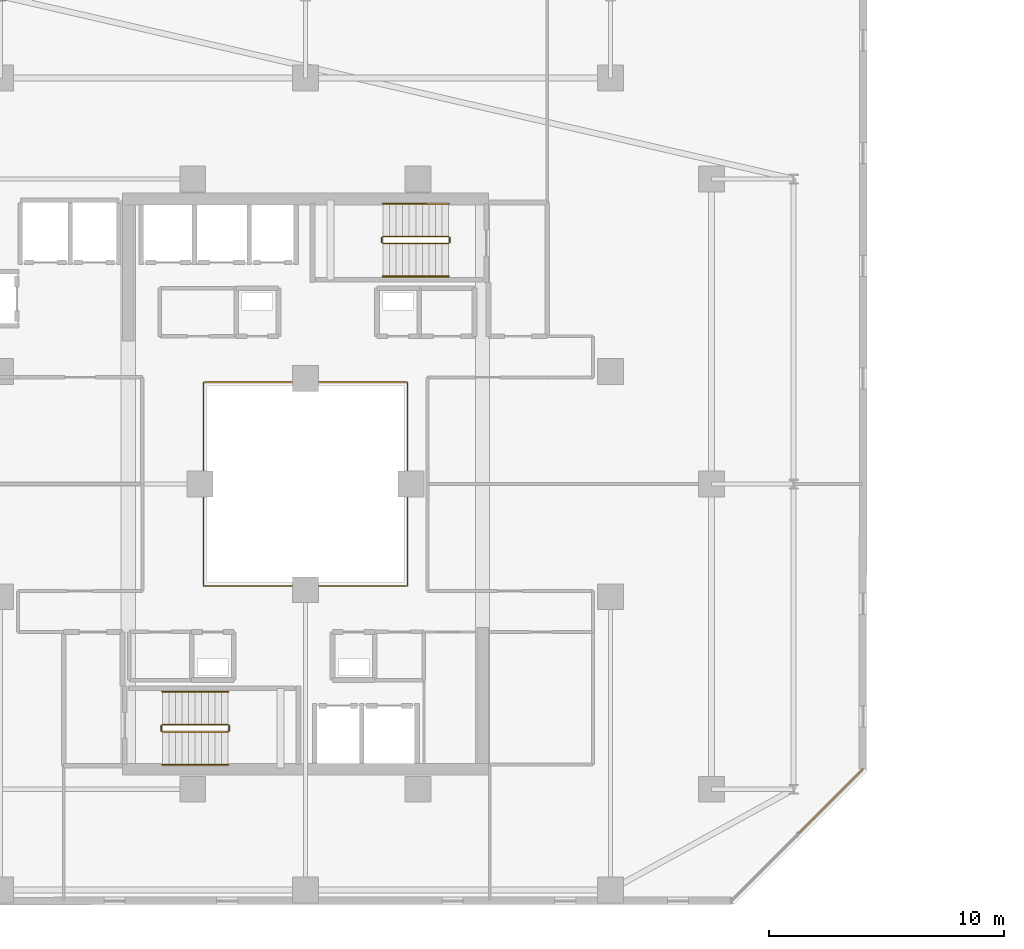
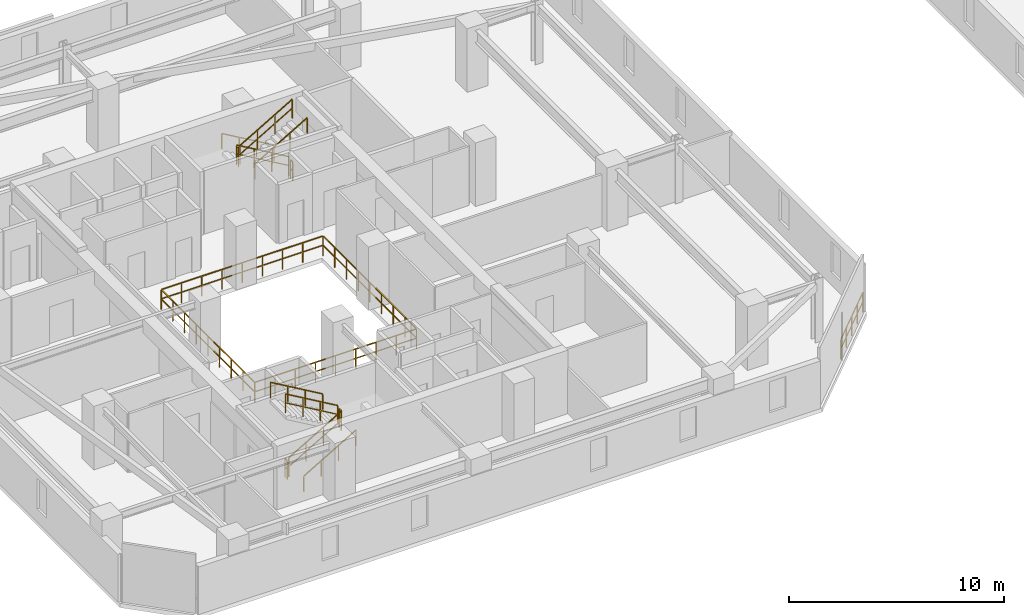
# One storey, part 29 of 32: 14 railings.
"""IFC4 building model written with IfcOpenShell, lengths in metres."""

from ifc_helpers import new_model, si_unit, direction, frame, origin, origin_2d, place, context, subcontext, project, spatial, rectangle, extrude, material, type_object, element, save


model = new_model("IFC4")

# Units and contexts
model_context = context("Model", 3, precision=1e-05, world=origin(), true_north=direction((0.0, 1.0)))
body_context = subcontext(model_context, "Body", "Model", "MODEL_VIEW")
ifc_project = project(units=[si_unit("LENGTHUNIT", "METRE"), si_unit("AREAUNIT", "SQUARE_METRE"), si_unit("VOLUMEUNIT", "CUBIC_METRE"), si_unit("PLANEANGLEUNIT", "RADIAN"), si_unit("MASSUNIT", "GRAM", prefix="KILO")], contexts=[model_context])

# Site, building, storey
site_placement = place(None, origin())
site = spatial("IfcSite", under=ifc_project, at=site_placement, CompositionType="ELEMENT")
building_placement = place(site_placement, origin())
building = spatial("IfcBuilding", under=site, at=building_placement, Name="Thornwick Lancets Civic Towers", CompositionType="ELEMENT")
storey_placement = place(building_placement, frame((0.0, 0.0, 182.10009765625)))
storey = spatial("IfcBuildingStorey", under=building, at=storey_placement, Name="L48", CompositionType="ELEMENT", Elevation=182.10009765625)

# Railings
ifc_material_1 = material(Name="Laminated glass and bronze steel S355", Category="steel")
railing_type_1 = type_object("IfcRailingType", Name="RAIL_ATRIUM_GUARD", PredefinedType="BALUSTRADE", material=ifc_material_1)
railing_1_placement = place(storey_placement, frame((21.159912109375, 22.659912109375, 0.0)))
element("IfcRailing", 1, at=railing_1_placement, inside=storey, type_object=railing_type_1, Name="L48 Tower A Central Atrium Guard Balustrade", PredefinedType="BALUSTRADE", context=body_context, shape_type="SweptSolid", body=[
    extrude(rectangle(XDim=0.048095703125, YDim=0.048095703125, at=origin_2d()), frame((0.0, 0.0, 1.1259765625), z_axis=(1.0, 0.0, 0.0), x_axis=(0.0, 1.0, 0.0)), (0.0, 0.0, 1.0), 8.64892578125),
    extrude(rectangle(XDim=0.0419921875, YDim=0.0419921875, at=origin_2d()), frame((0.03759765625, 0.0, 0.597900390625), z_axis=(1.0, 0.0, 0.0), x_axis=(0.0, 1.0, 0.0)), (0.0, 0.0, 1.0), 1.010009765625),
    extrude(rectangle(XDim=0.0419921875, YDim=0.0419921875, at=origin_2d()), frame((1.12255859375, 0.0, 0.597900390625), z_axis=(1.0, 0.0, 0.0), x_axis=(0.0, 1.0, 0.0)), (0.0, 0.0, 1.0), 1.010009765625),
    extrude(rectangle(XDim=0.0419921875, YDim=0.0419921875, at=origin_2d()), frame((2.20751953125, 0.0, 0.597900390625), z_axis=(1.0, 0.0, 0.0), x_axis=(0.0, 1.0, 0.0)), (0.0, 0.0, 1.0), 1.010009765625),
    extrude(rectangle(XDim=0.0419921875, YDim=0.0419921875, at=origin_2d()), frame((3.29248046875, 0.0, 0.597900390625), z_axis=(1.0, 0.0, 0.0), x_axis=(0.0, 1.0, 0.0)), (0.0, 0.0, 1.0), 1.010009765625),
    extrude(rectangle(XDim=0.0419921875, YDim=0.0419921875, at=origin_2d()), frame((4.377685546875, 0.0, 0.597900390625), z_axis=(1.0, 0.0, 0.0), x_axis=(0.0, 1.0, 0.0)), (0.0, 0.0, 1.0), 1.010009765625),
    extrude(rectangle(XDim=0.0419921875, YDim=0.0419921875, at=origin_2d()), frame((5.462646484375, 0.0, 0.597900390625), z_axis=(1.0, 0.0, 0.0), x_axis=(0.0, 1.0, 0.0)), (0.0, 0.0, 1.0), 1.010009765625),
    extrude(rectangle(XDim=0.0419921875, YDim=0.0419921875, at=origin_2d()), frame((6.547607421875, 0.0, 0.597900390625), z_axis=(1.0, 0.0, 0.0), x_axis=(0.0, 1.0, 0.0)), (0.0, 0.0, 1.0), 1.010009765625),
    extrude(rectangle(XDim=0.0419921875, YDim=0.0419921875, at=origin_2d()), frame((7.632568359375, 0.0, 0.597900390625), z_axis=(1.0, 0.0, 0.0), x_axis=(0.0, 1.0, 0.0)), (0.0, 0.0, 1.0), 1.010009765625),
    extrude(rectangle(XDim=0.048095703125, YDim=0.048095703125, at=origin_2d()), frame((8.68017578125, 0.03125, 1.1259765625), z_axis=(0.0, 1.0, 0.0), x_axis=(-1.0, 0.0, 0.0)), (0.0, 0.0, 1.0), 8.61767578125),
    extrude(rectangle(XDim=0.0419921875, YDim=0.0419921875, at=origin_2d()), frame((8.68017578125, 0.03759765625, 0.597900390625), z_axis=(0.0, 1.0, 0.0), x_axis=(-1.0, 0.0, 0.0)), (0.0, 0.0, 1.0), 1.010009765625),
    extrude(rectangle(XDim=0.0419921875, YDim=0.0419921875, at=origin_2d()), frame((8.68017578125, 1.12255859375, 0.597900390625), z_axis=(0.0, 1.0, 0.0), x_axis=(-1.0, 0.0, 0.0)), (0.0, 0.0, 1.0), 1.010009765625),
    extrude(rectangle(XDim=0.0419921875, YDim=0.0419921875, at=origin_2d()), frame((8.68017578125, 2.20751953125, 0.597900390625), z_axis=(0.0, 1.0, 0.0), x_axis=(-1.0, 0.0, 0.0)), (0.0, 0.0, 1.0), 1.010009765625),
    extrude(rectangle(XDim=0.0419921875, YDim=0.0419921875, at=origin_2d()), frame((8.68017578125, 3.29248046875, 0.597900390625), z_axis=(0.0, 1.0, 0.0), x_axis=(-1.0, 0.0, 0.0)), (0.0, 0.0, 1.0), 1.010009765625),
    extrude(rectangle(XDim=0.0419921875, YDim=0.0419921875, at=origin_2d()), frame((8.68017578125, 4.377685546875, 0.597900390625), z_axis=(0.0, 1.0, 0.0), x_axis=(-1.0, 0.0, 0.0)), (0.0, 0.0, 1.0), 1.010009765625),
    extrude(rectangle(XDim=0.0419921875, YDim=0.0419921875, at=origin_2d()), frame((8.68017578125, 5.462646484375, 0.597900390625), z_axis=(0.0, 1.0, 0.0), x_axis=(-1.0, 0.0, 0.0)), (0.0, 0.0, 1.0), 1.010009765625),
    extrude(rectangle(XDim=0.0419921875, YDim=0.0419921875, at=origin_2d()), frame((8.68017578125, 6.547607421875, 0.597900390625), z_axis=(0.0, 1.0, 0.0), x_axis=(-1.0, 0.0, 0.0)), (0.0, 0.0, 1.0), 1.010009765625),
    extrude(rectangle(XDim=0.0419921875, YDim=0.0419921875, at=origin_2d()), frame((8.68017578125, 7.632568359375, 0.597900390625), z_axis=(0.0, 1.0, 0.0), x_axis=(-1.0, 0.0, 0.0)), (0.0, 0.0, 1.0), 1.010009765625),
    extrude(rectangle(XDim=0.048095703125, YDim=0.048095703125, at=origin_2d()), frame((8.64892578125, 8.68017578125, 1.1259765625), z_axis=(-1.0, 0.0, 0.0), x_axis=(0.0, -1.0, 0.0)), (0.0, 0.0, 1.0), 8.61767578125),
    extrude(rectangle(XDim=0.0419921875, YDim=0.0419921875, at=origin_2d()), frame((8.642578125, 8.68017578125, 0.597900390625), z_axis=(-1.0, 0.0, 0.0), x_axis=(0.0, -1.0, 0.0)), (0.0, 0.0, 1.0), 1.010009765625),
    extrude(rectangle(XDim=0.0419921875, YDim=0.0419921875, at=origin_2d()), frame((7.5576171875, 8.68017578125, 0.597900390625), z_axis=(-1.0, 0.0, 0.0), x_axis=(0.0, -1.0, 0.0)), (0.0, 0.0, 1.0), 1.010009765625),
    extrude(rectangle(XDim=0.0419921875, YDim=0.0419921875, at=origin_2d()), frame((6.47265625, 8.68017578125, 0.597900390625), z_axis=(-1.0, 0.0, 0.0), x_axis=(0.0, -1.0, 0.0)), (0.0, 0.0, 1.0), 1.010009765625),
    extrude(rectangle(XDim=0.0419921875, YDim=0.0419921875, at=origin_2d()), frame((5.3876953125, 8.68017578125, 0.597900390625), z_axis=(-1.0, 0.0, 0.0), x_axis=(0.0, -1.0, 0.0)), (0.0, 0.0, 1.0), 1.010009765625),
    extrude(rectangle(XDim=0.0419921875, YDim=0.0419921875, at=origin_2d()), frame((4.302490234375, 8.68017578125, 0.597900390625), z_axis=(-1.0, 0.0, 0.0), x_axis=(0.0, -1.0, 0.0)), (0.0, 0.0, 1.0), 1.010009765625),
    extrude(rectangle(XDim=0.0419921875, YDim=0.0419921875, at=origin_2d()), frame((3.217529296875, 8.68017578125, 0.597900390625), z_axis=(-1.0, 0.0, 0.0), x_axis=(0.0, -1.0, 0.0)), (0.0, 0.0, 1.0), 1.010009765625),
    extrude(rectangle(XDim=0.0419921875, YDim=0.0419921875, at=origin_2d()), frame((2.132568359375, 8.68017578125, 0.597900390625), z_axis=(-1.0, 0.0, 0.0), x_axis=(0.0, -1.0, 0.0)), (0.0, 0.0, 1.0), 1.010009765625),
    extrude(rectangle(XDim=0.0419921875, YDim=0.0419921875, at=origin_2d()), frame((1.047607421875, 8.68017578125, 0.597900390625), z_axis=(-1.0, 0.0, 0.0), x_axis=(0.0, -1.0, 0.0)), (0.0, 0.0, 1.0), 1.010009765625),
    extrude(rectangle(XDim=0.048095703125, YDim=0.048095703125, at=origin_2d()), frame((0.0, 8.64892578125, 1.1259765625), z_axis=(0.0, -1.0, 0.0), x_axis=(1.0, 0.0, 0.0)), (0.0, 0.0, 1.0), 8.64892578125),
    extrude(rectangle(XDim=0.0419921875, YDim=0.0419921875, at=origin_2d()), frame((0.0, 8.642578125, 0.597900390625), z_axis=(0.0, -1.0, 0.0), x_axis=(1.0, 0.0, 0.0)), (0.0, 0.0, 1.0), 1.010009765625),
    extrude(rectangle(XDim=0.0419921875, YDim=0.0419921875, at=origin_2d()), frame((0.0, 7.5576171875, 0.597900390625), z_axis=(0.0, -1.0, 0.0), x_axis=(1.0, 0.0, 0.0)), (0.0, 0.0, 1.0), 1.010009765625),
    extrude(rectangle(XDim=0.0419921875, YDim=0.0419921875, at=origin_2d()), frame((0.0, 6.47265625, 0.597900390625), z_axis=(0.0, -1.0, 0.0), x_axis=(1.0, 0.0, 0.0)), (0.0, 0.0, 1.0), 1.010009765625),
    extrude(rectangle(XDim=0.0419921875, YDim=0.0419921875, at=origin_2d()), frame((0.0, 5.3876953125, 0.597900390625), z_axis=(0.0, -1.0, 0.0), x_axis=(1.0, 0.0, 0.0)), (0.0, 0.0, 1.0), 1.010009765625),
    extrude(rectangle(XDim=0.0419921875, YDim=0.0419921875, at=origin_2d()), frame((0.0, 4.302490234375, 0.597900390625), z_axis=(0.0, -1.0, 0.0), x_axis=(1.0, 0.0, 0.0)), (0.0, 0.0, 1.0), 1.010009765625),
    extrude(rectangle(XDim=0.0419921875, YDim=0.0419921875, at=origin_2d()), frame((0.0, 3.217529296875, 0.597900390625), z_axis=(0.0, -1.0, 0.0), x_axis=(1.0, 0.0, 0.0)), (0.0, 0.0, 1.0), 1.010009765625),
    extrude(rectangle(XDim=0.0419921875, YDim=0.0419921875, at=origin_2d()), frame((0.0, 2.132568359375, 0.597900390625), z_axis=(0.0, -1.0, 0.0), x_axis=(1.0, 0.0, 0.0)), (0.0, 0.0, 1.0), 1.010009765625),
    extrude(rectangle(XDim=0.0419921875, YDim=0.0419921875, at=origin_2d()), frame((0.0, 1.047607421875, 0.597900390625), z_axis=(0.0, -1.0, 0.0), x_axis=(1.0, 0.0, 0.0)), (0.0, 0.0, 1.0), 1.010009765625),
    extrude(rectangle(XDim=0.0419921875, YDim=0.0419921875, at=origin_2d()), origin(), (0.0, 0.0, 1.0), 1.095703125),
    extrude(rectangle(XDim=0.0419921875, YDim=0.0419921875, at=origin_2d()), frame((1.0849609375, 0.0, 0.0)), (0.0, 0.0, 1.0), 1.095703125),
    extrude(rectangle(XDim=0.0419921875, YDim=0.0419921875, at=origin_2d()), frame((2.169921875, 0.0, 0.0)), (0.0, 0.0, 1.0), 1.095703125),
    extrude(rectangle(XDim=0.0419921875, YDim=0.0419921875, at=origin_2d()), frame((3.255126953125, 0.0, 0.0)), (0.0, 0.0, 1.0), 1.095703125),
    extrude(rectangle(XDim=0.0419921875, YDim=0.0419921875, at=origin_2d()), frame((4.340087890625, 0.0, 0.0)), (0.0, 0.0, 1.0), 1.095703125),
    extrude(rectangle(XDim=0.0419921875, YDim=0.0419921875, at=origin_2d()), frame((5.425048828125, 0.0, 0.0)), (0.0, 0.0, 1.0), 1.095703125),
    extrude(rectangle(XDim=0.0419921875, YDim=0.0419921875, at=origin_2d()), frame((6.51025390625, 0.0, 0.0)), (0.0, 0.0, 1.0), 1.095703125),
    extrude(rectangle(XDim=0.0419921875, YDim=0.0419921875, at=origin_2d()), frame((7.59521484375, 0.0, 0.0)), (0.0, 0.0, 1.0), 1.095703125),
    extrude(rectangle(XDim=0.0419921875, YDim=0.0419921875, at=origin_2d()), frame((8.68017578125, 0.0, 0.0)), (0.0, 0.0, 1.0), 1.095703125),
    extrude(rectangle(XDim=0.0419921875, YDim=0.0419921875, at=origin_2d()), frame((8.68017578125, 1.0849609375, 0.0)), (0.0, 0.0, 1.0), 1.095703125),
    extrude(rectangle(XDim=0.0419921875, YDim=0.0419921875, at=origin_2d()), frame((8.68017578125, 2.169921875, 0.0)), (0.0, 0.0, 1.0), 1.095703125),
    extrude(rectangle(XDim=0.0419921875, YDim=0.0419921875, at=origin_2d()), frame((8.68017578125, 3.255126953125, 0.0)), (0.0, 0.0, 1.0), 1.095703125),
    extrude(rectangle(XDim=0.0419921875, YDim=0.0419921875, at=origin_2d()), frame((8.68017578125, 4.340087890625, 0.0)), (0.0, 0.0, 1.0), 1.095703125),
    extrude(rectangle(XDim=0.0419921875, YDim=0.0419921875, at=origin_2d()), frame((8.68017578125, 5.425048828125, 0.0)), (0.0, 0.0, 1.0), 1.095703125),
    extrude(rectangle(XDim=0.0419921875, YDim=0.0419921875, at=origin_2d()), frame((8.68017578125, 6.51025390625, 0.0)), (0.0, 0.0, 1.0), 1.095703125),
    extrude(rectangle(XDim=0.0419921875, YDim=0.0419921875, at=origin_2d()), frame((8.68017578125, 7.59521484375, 0.0)), (0.0, 0.0, 1.0), 1.095703125),
    extrude(rectangle(XDim=0.0419921875, YDim=0.0419921875, at=origin_2d()), frame((8.68017578125, 8.68017578125, 0.0)), (0.0, 0.0, 1.0), 1.095703125),
    extrude(rectangle(XDim=0.0419921875, YDim=0.0419921875, at=origin_2d()), frame((7.59521484375, 8.68017578125, 0.0)), (0.0, 0.0, 1.0), 1.095703125),
    extrude(rectangle(XDim=0.0419921875, YDim=0.0419921875, at=origin_2d()), frame((6.51025390625, 8.68017578125, 0.0)), (0.0, 0.0, 1.0), 1.095703125),
    extrude(rectangle(XDim=0.0419921875, YDim=0.0419921875, at=origin_2d()), frame((5.425048828125, 8.68017578125, 0.0)), (0.0, 0.0, 1.0), 1.095703125),
    extrude(rectangle(XDim=0.0419921875, YDim=0.0419921875, at=origin_2d()), frame((4.340087890625, 8.68017578125, 0.0)), (0.0, 0.0, 1.0), 1.095703125),
    extrude(rectangle(XDim=0.0419921875, YDim=0.0419921875, at=origin_2d()), frame((3.255126953125, 8.68017578125, 0.0)), (0.0, 0.0, 1.0), 1.095703125),
    extrude(rectangle(XDim=0.0419921875, YDim=0.0419921875, at=origin_2d()), frame((2.169921875, 8.68017578125, 0.0)), (0.0, 0.0, 1.0), 1.095703125),
    extrude(rectangle(XDim=0.0419921875, YDim=0.0419921875, at=origin_2d()), frame((1.0849609375, 8.68017578125, 0.0)), (0.0, 0.0, 1.0), 1.095703125),
    extrude(rectangle(XDim=0.0419921875, YDim=0.0419921875, at=origin_2d()), frame((0.0, 8.68017578125, 0.0)), (0.0, 0.0, 1.0), 1.095703125),
    extrude(rectangle(XDim=0.0419921875, YDim=0.0419921875, at=origin_2d()), frame((0.0, 7.59521484375, 0.0)), (0.0, 0.0, 1.0), 1.095703125),
    extrude(rectangle(XDim=0.0419921875, YDim=0.0419921875, at=origin_2d()), frame((0.0, 6.51025390625, 0.0)), (0.0, 0.0, 1.0), 1.095703125),
    extrude(rectangle(XDim=0.0419921875, YDim=0.0419921875, at=origin_2d()), frame((0.0, 5.425048828125, 0.0)), (0.0, 0.0, 1.0), 1.095703125),
    extrude(rectangle(XDim=0.0419921875, YDim=0.0419921875, at=origin_2d()), frame((0.0, 4.340087890625, 0.0)), (0.0, 0.0, 1.0), 1.095703125),
    extrude(rectangle(XDim=0.0419921875, YDim=0.0419921875, at=origin_2d()), frame((0.0, 3.255126953125, 0.0)), (0.0, 0.0, 1.0), 1.095703125),
    extrude(rectangle(XDim=0.0419921875, YDim=0.0419921875, at=origin_2d()), frame((0.0, 2.169921875, 0.0)), (0.0, 0.0, 1.0), 1.095703125),
    extrude(rectangle(XDim=0.0419921875, YDim=0.0419921875, at=origin_2d()), frame((0.0, 1.0849609375, 0.0)), (0.0, 0.0, 1.0), 1.095703125),
])
ifc_material_2 = material(Name="Brushed stainless steel S355", Category="steel")
railing_type_2 = type_object("IfcRailingType", Name="RAIL_HANDRAIL", PredefinedType="HANDRAIL", material=ifc_material_2)
railing_2_placement = place(storey_placement, frame((19.39990234375, 15.050048828125, 0.16357421875)))
element("IfcRailing", 2, at=railing_2_placement, inside=storey, type_object=railing_type_2, Name="L48 ST-A1 stair handrail 1", PredefinedType="HANDRAIL", context=body_context, shape_type="SweptSolid", body=[
    extrude(rectangle(XDim=0.048095703125, YDim=0.048095703125, at=origin_2d()), frame((0.0, 0.0, 0.8857421875), z_axis=(0.863393664356, 0.0, 0.504530851732), x_axis=(0.0, 1.0, 0.0)), (0.0, 0.0, 1.0), 3.2431640625),
    extrude(rectangle(XDim=0.0419921875, YDim=0.0419921875, at=origin_2d()), origin(), (0.0, 0.0, 1.0), 0.855712890625),
    extrude(rectangle(XDim=0.0419921875, YDim=0.0419921875, at=origin_2d()), frame((0.933349609375, 0.0, 0.54541015625)), (0.0, 0.0, 1.0), 0.855712890625),
    extrude(rectangle(XDim=0.0419921875, YDim=0.0419921875, at=origin_2d()), frame((1.86669921875, 0.0, 1.0908203125)), (0.0, 0.0, 1.0), 0.855712890625),
    extrude(rectangle(XDim=0.0419921875, YDim=0.0419921875, at=origin_2d()), frame((2.800048828125, 0.0, 1.63623046875)), (0.0, 0.0, 1.0), 0.855712890625),
])
for number, where, name in (
    (3, (22.199951171875, 18.14990234375, 1.963623046875), "L48 ST-A1 stair handrail 2"),
    (4, (31.60009765625, 38.949951171875, 0.16357421875), "L48 ST-A2 stair handrail 1"),
):
    element("IfcRailing", number, at=place(storey_placement, frame(where)), inside=storey, type_object=railing_type_2, Name=name, PredefinedType="HANDRAIL", context=body_context, shape_type="SweptSolid", body=[
        extrude(rectangle(XDim=0.048095703125, YDim=0.048095703125, at=origin_2d()), frame((0.0, 0.0, 0.8857421875), z_axis=(-0.863393664356, 0.0, 0.504530851732), x_axis=(0.0, -1.0, 0.0)), (0.0, 0.0, 1.0), 3.2431640625),
        extrude(rectangle(XDim=0.0419921875, YDim=0.0419921875, at=origin_2d()), origin(), (0.0, 0.0, 1.0), 0.855712890625),
        extrude(rectangle(XDim=0.0419921875, YDim=0.0419921875, at=origin_2d()), frame((-0.933349609375, 0.0, 0.54541015625)), (0.0, 0.0, 1.0), 0.855712890625),
        extrude(rectangle(XDim=0.0419921875, YDim=0.0419921875, at=origin_2d()), frame((-1.86669921875, 0.0, 1.0908203125)), (0.0, 0.0, 1.0), 0.855712890625),
        extrude(rectangle(XDim=0.0419921875, YDim=0.0419921875, at=origin_2d()), frame((-2.800048828125, 0.0, 1.63623046875)), (0.0, 0.0, 1.0), 0.855712890625),
    ])
railing_3_placement = place(storey_placement, frame((28.800048828125, 35.85009765625, 1.963623046875)))
element("IfcRailing", 5, at=railing_3_placement, inside=storey, type_object=railing_type_2, Name="L48 ST-A2 stair handrail 2", PredefinedType="HANDRAIL", context=body_context, shape_type="SweptSolid", body=[
    extrude(rectangle(XDim=0.048095703125, YDim=0.048095703125, at=origin_2d()), frame((0.0, 0.0, 0.8857421875), z_axis=(0.863393664356, 0.0, 0.504530851732), x_axis=(0.0, 1.0, 0.0)), (0.0, 0.0, 1.0), 3.2431640625),
    extrude(rectangle(XDim=0.0419921875, YDim=0.0419921875, at=origin_2d()), origin(), (0.0, 0.0, 1.0), 0.855712890625),
    extrude(rectangle(XDim=0.0419921875, YDim=0.0419921875, at=origin_2d()), frame((0.933349609375, 0.0, 0.54541015625)), (0.0, 0.0, 1.0), 0.855712890625),
    extrude(rectangle(XDim=0.0419921875, YDim=0.0419921875, at=origin_2d()), frame((1.86669921875, 0.0, 1.0908203125)), (0.0, 0.0, 1.0), 0.855712890625),
    extrude(rectangle(XDim=0.0419921875, YDim=0.0419921875, at=origin_2d()), frame((2.800048828125, 0.0, 1.63623046875)), (0.0, 0.0, 1.0), 0.855712890625),
])
ifc_material_3 = material(Name="Steel S355JR", Category="steel")
railing_type_3 = type_object("IfcRailingType", Name="RAIL_STAIR_GUARD", PredefinedType="GUARDRAIL", material=ifc_material_3)
railing_4_placement = place(storey_placement, frame((19.39990234375, 16.449951171875, 0.16357421875)))
element("IfcRailing", 6, at=railing_4_placement, inside=storey, type_object=railing_type_3, Name="L48 ST-A1 stair guard 1", PredefinedType="GUARDRAIL", context=body_context, shape_type="SweptSolid", body=[
    extrude(rectangle(XDim=0.048095703125, YDim=0.048095703125, at=origin_2d()), frame((0.0, 0.0, 1.076171875), z_axis=(0.863393664356, 0.0, 0.504530851732), x_axis=(0.0, 1.0, 0.0)), (0.0, 0.0, 1.0), 3.2431640625),
    extrude(rectangle(XDim=0.0419921875, YDim=0.0419921875, at=origin_2d()), frame((0.032470703125, 0.0, 0.591064453125), z_axis=(0.863393664356, 0.0, 0.504530851732), x_axis=(0.0, 1.0, 0.0)), (0.0, 0.0, 1.0), 1.006103515625),
    extrude(rectangle(XDim=0.0419921875, YDim=0.0419921875, at=origin_2d()), frame((0.9658203125, 0.0, 1.136474609375), z_axis=(0.863393664356, 0.0, 0.504530851732), x_axis=(0.0, 1.0, 0.0)), (0.0, 0.0, 1.0), 1.006103515625),
    extrude(rectangle(XDim=0.0419921875, YDim=0.0419921875, at=origin_2d()), frame((1.899169921875, 0.0, 1.681884765625), z_axis=(0.863393664356, 0.0, 0.504530851732), x_axis=(0.0, 1.0, 0.0)), (0.0, 0.0, 1.0), 1.006103515625),
    extrude(rectangle(XDim=0.0419921875, YDim=0.0419921875, at=origin_2d()), origin(), (0.0, 0.0, 1.0), 1.0458984375),
    extrude(rectangle(XDim=0.0419921875, YDim=0.0419921875, at=origin_2d()), frame((0.933349609375, 0.0, 0.54541015625)), (0.0, 0.0, 1.0), 1.0458984375),
    extrude(rectangle(XDim=0.0419921875, YDim=0.0419921875, at=origin_2d()), frame((1.86669921875, 0.0, 1.0908203125)), (0.0, 0.0, 1.0), 1.0458984375),
    extrude(rectangle(XDim=0.0419921875, YDim=0.0419921875, at=origin_2d()), frame((2.800048828125, 0.0, 1.63623046875)), (0.0, 0.0, 1.0), 1.0458984375),
])
railing_5_placement = place(storey_placement, frame((22.25, 16.5, 1.7998046875)))
element("IfcRailing", 7, at=railing_5_placement, inside=storey, type_object=railing_type_3, Name="L48 ST-A1 stair guard 2", PredefinedType="GUARDRAIL", context=body_context, shape_type="SweptSolid", body=[
    extrude(rectangle(XDim=0.048095703125, YDim=0.048095703125, at=origin_2d()), frame((0.0, 0.0, 1.076171875), z_axis=(0.0, 1.0, 0.0), x_axis=(-1.0, 0.0, 0.0)), (0.0, 0.0, 1.0), 0.199951171875),
    extrude(rectangle(XDim=0.0419921875, YDim=0.0419921875, at=origin_2d()), frame((0.0, 0.03759765625, 0.572021484375), z_axis=(0.0, 1.0, 0.0), x_axis=(-1.0, 0.0, 0.0)), (0.0, 0.0, 1.0), 0.125),
    extrude(rectangle(XDim=0.0419921875, YDim=0.0419921875, at=origin_2d()), origin(), (0.0, 0.0, 1.0), 1.0458984375),
    extrude(rectangle(XDim=0.0419921875, YDim=0.0419921875, at=origin_2d()), frame((0.0, 0.199951171875, 0.0)), (0.0, 0.0, 1.0), 1.0458984375),
])
railing_6_placement = place(storey_placement, frame((22.199951171875, 16.75, 1.963623046875)))
element("IfcRailing", 8, at=railing_6_placement, inside=storey, type_object=railing_type_3, Name="L48 ST-A1 stair guard 3", PredefinedType="GUARDRAIL", context=body_context, shape_type="SweptSolid", body=[
    extrude(rectangle(XDim=0.048095703125, YDim=0.048095703125, at=origin_2d()), frame((0.0, 0.0, 1.076171875), z_axis=(-0.863393664356, 0.0, 0.504530851732), x_axis=(0.0, -1.0, 0.0)), (0.0, 0.0, 1.0), 3.2431640625),
    extrude(rectangle(XDim=0.0419921875, YDim=0.0419921875, at=origin_2d()), frame((-0.032470703125, 0.0, 0.591064453125), z_axis=(-0.863393664356, 0.0, 0.504530851732), x_axis=(0.0, -1.0, 0.0)), (0.0, 0.0, 1.0), 1.006103515625),
    extrude(rectangle(XDim=0.0419921875, YDim=0.0419921875, at=origin_2d()), frame((-0.9658203125, 0.0, 1.136474609375), z_axis=(-0.863393664356, 0.0, 0.504530851732), x_axis=(0.0, -1.0, 0.0)), (0.0, 0.0, 1.0), 1.006103515625),
    extrude(rectangle(XDim=0.0419921875, YDim=0.0419921875, at=origin_2d()), frame((-1.899169921875, 0.0, 1.681884765625), z_axis=(-0.863393664356, 0.0, 0.504530851732), x_axis=(0.0, -1.0, 0.0)), (0.0, 0.0, 1.0), 1.006103515625),
    extrude(rectangle(XDim=0.0419921875, YDim=0.0419921875, at=origin_2d()), origin(), (0.0, 0.0, 1.0), 1.0458984375),
    extrude(rectangle(XDim=0.0419921875, YDim=0.0419921875, at=origin_2d()), frame((-0.933349609375, 0.0, 0.54541015625)), (0.0, 0.0, 1.0), 1.0458984375),
    extrude(rectangle(XDim=0.0419921875, YDim=0.0419921875, at=origin_2d()), frame((-1.86669921875, 0.0, 1.0908203125)), (0.0, 0.0, 1.0), 1.0458984375),
    extrude(rectangle(XDim=0.0419921875, YDim=0.0419921875, at=origin_2d()), frame((-2.800048828125, 0.0, 1.63623046875)), (0.0, 0.0, 1.0), 1.0458984375),
])
railing_7_placement = place(storey_placement, frame((19.35009765625, 16.5, 0.0)))
element("IfcRailing", 9, at=railing_7_placement, inside=storey, type_object=railing_type_3, Name="L48 ST-A1 stair guard 4", PredefinedType="GUARDRAIL", context=body_context, shape_type="SweptSolid", body=[
    extrude(rectangle(XDim=0.048095703125, YDim=0.048095703125, at=origin_2d()), frame((0.0, 0.0, 1.076171875), z_axis=(0.0, 1.0, 0.0), x_axis=(-1.0, 0.0, 0.0)), (0.0, 0.0, 1.0), 0.199951171875),
    extrude(rectangle(XDim=0.0419921875, YDim=0.0419921875, at=origin_2d()), frame((0.0, 0.03759765625, 0.572021484375), z_axis=(0.0, 1.0, 0.0), x_axis=(-1.0, 0.0, 0.0)), (0.0, 0.0, 1.0), 0.125),
    extrude(rectangle(XDim=0.0419921875, YDim=0.0419921875, at=origin_2d()), origin(), (0.0, 0.0, 1.0), 1.0458984375),
    extrude(rectangle(XDim=0.0419921875, YDim=0.0419921875, at=origin_2d()), frame((0.0, 0.199951171875, 0.0)), (0.0, 0.0, 1.0), 1.0458984375),
])
railing_8_placement = place(storey_placement, frame((31.60009765625, 37.550048828125, 0.16357421875)))
element("IfcRailing", 10, at=railing_8_placement, inside=storey, type_object=railing_type_3, Name="L48 ST-A2 stair guard 1", PredefinedType="GUARDRAIL", context=body_context, shape_type="SweptSolid", body=[
    extrude(rectangle(XDim=0.048095703125, YDim=0.048095703125, at=origin_2d()), frame((0.0, 0.0, 1.076171875), z_axis=(-0.863393664356, 0.0, 0.504530851732), x_axis=(0.0, -1.0, 0.0)), (0.0, 0.0, 1.0), 3.2431640625),
    extrude(rectangle(XDim=0.0419921875, YDim=0.0419921875, at=origin_2d()), frame((-0.032470703125, 0.0, 0.591064453125), z_axis=(-0.863393664356, 0.0, 0.504530851732), x_axis=(0.0, -1.0, 0.0)), (0.0, 0.0, 1.0), 1.006103515625),
    extrude(rectangle(XDim=0.0419921875, YDim=0.0419921875, at=origin_2d()), frame((-0.9658203125, 0.0, 1.136474609375), z_axis=(-0.863393664356, 0.0, 0.504530851732), x_axis=(0.0, -1.0, 0.0)), (0.0, 0.0, 1.0), 1.006103515625),
    extrude(rectangle(XDim=0.0419921875, YDim=0.0419921875, at=origin_2d()), frame((-1.899169921875, 0.0, 1.681884765625), z_axis=(-0.863393664356, 0.0, 0.504530851732), x_axis=(0.0, -1.0, 0.0)), (0.0, 0.0, 1.0), 1.006103515625),
    extrude(rectangle(XDim=0.0419921875, YDim=0.0419921875, at=origin_2d()), origin(), (0.0, 0.0, 1.0), 1.0458984375),
    extrude(rectangle(XDim=0.0419921875, YDim=0.0419921875, at=origin_2d()), frame((-0.933349609375, 0.0, 0.54541015625)), (0.0, 0.0, 1.0), 1.0458984375),
    extrude(rectangle(XDim=0.0419921875, YDim=0.0419921875, at=origin_2d()), frame((-1.86669921875, 0.0, 1.0908203125)), (0.0, 0.0, 1.0), 1.0458984375),
    extrude(rectangle(XDim=0.0419921875, YDim=0.0419921875, at=origin_2d()), frame((-2.800048828125, 0.0, 1.63623046875)), (0.0, 0.0, 1.0), 1.0458984375),
])
railing_9_placement = place(storey_placement, frame((28.75, 37.5, 1.7998046875)))
element("IfcRailing", 11, at=railing_9_placement, inside=storey, type_object=railing_type_3, Name="L48 ST-A2 stair guard 2", PredefinedType="GUARDRAIL", context=body_context, shape_type="SweptSolid", body=[
    extrude(rectangle(XDim=0.048095703125, YDim=0.048095703125, at=origin_2d()), frame((0.0, 0.0, 1.076171875), z_axis=(0.0, -1.0, 0.0), x_axis=(1.0, 0.0, 0.0)), (0.0, 0.0, 1.0), 0.199951171875),
    extrude(rectangle(XDim=0.0419921875, YDim=0.0419921875, at=origin_2d()), frame((0.0, -0.03759765625, 0.572021484375), z_axis=(0.0, -1.0, 0.0), x_axis=(1.0, 0.0, 0.0)), (0.0, 0.0, 1.0), 0.125),
    extrude(rectangle(XDim=0.0419921875, YDim=0.0419921875, at=origin_2d()), origin(), (0.0, 0.0, 1.0), 1.0458984375),
    extrude(rectangle(XDim=0.0419921875, YDim=0.0419921875, at=origin_2d()), frame((0.0, -0.199951171875, 0.0)), (0.0, 0.0, 1.0), 1.0458984375),
])
railing_10_placement = place(storey_placement, frame((28.800048828125, 37.25, 1.963623046875)))
element("IfcRailing", 12, at=railing_10_placement, inside=storey, type_object=railing_type_3, Name="L48 ST-A2 stair guard 3", PredefinedType="GUARDRAIL", context=body_context, shape_type="SweptSolid", body=[
    extrude(rectangle(XDim=0.048095703125, YDim=0.048095703125, at=origin_2d()), frame((0.0, 0.0, 1.076171875), z_axis=(0.863393664356, 0.0, 0.504530851732), x_axis=(0.0, 1.0, 0.0)), (0.0, 0.0, 1.0), 3.2431640625),
    extrude(rectangle(XDim=0.0419921875, YDim=0.0419921875, at=origin_2d()), frame((0.032470703125, 0.0, 0.591064453125), z_axis=(0.863393664356, 0.0, 0.504530851732), x_axis=(0.0, 1.0, 0.0)), (0.0, 0.0, 1.0), 1.006103515625),
    extrude(rectangle(XDim=0.0419921875, YDim=0.0419921875, at=origin_2d()), frame((0.9658203125, 0.0, 1.136474609375), z_axis=(0.863393664356, 0.0, 0.504530851732), x_axis=(0.0, 1.0, 0.0)), (0.0, 0.0, 1.0), 1.006103515625),
    extrude(rectangle(XDim=0.0419921875, YDim=0.0419921875, at=origin_2d()), frame((1.899169921875, 0.0, 1.681884765625), z_axis=(0.863393664356, 0.0, 0.504530851732), x_axis=(0.0, 1.0, 0.0)), (0.0, 0.0, 1.0), 1.006103515625),
    extrude(rectangle(XDim=0.0419921875, YDim=0.0419921875, at=origin_2d()), origin(), (0.0, 0.0, 1.0), 1.0458984375),
    extrude(rectangle(XDim=0.0419921875, YDim=0.0419921875, at=origin_2d()), frame((0.933349609375, 0.0, 0.54541015625)), (0.0, 0.0, 1.0), 1.0458984375),
    extrude(rectangle(XDim=0.0419921875, YDim=0.0419921875, at=origin_2d()), frame((1.86669921875, 0.0, 1.0908203125)), (0.0, 0.0, 1.0), 1.0458984375),
    extrude(rectangle(XDim=0.0419921875, YDim=0.0419921875, at=origin_2d()), frame((2.800048828125, 0.0, 1.63623046875)), (0.0, 0.0, 1.0), 1.0458984375),
])
railing_11_placement = place(storey_placement, frame((31.64990234375, 37.5, 0.0)))
element("IfcRailing", 13, at=railing_11_placement, inside=storey, type_object=railing_type_3, Name="L48 ST-A2 stair guard 4", PredefinedType="GUARDRAIL", context=body_context, shape_type="SweptSolid", body=[
    extrude(rectangle(XDim=0.048095703125, YDim=0.048095703125, at=origin_2d()), frame((0.0, 0.0, 1.076171875), z_axis=(0.0, -1.0, 0.0), x_axis=(1.0, 0.0, 0.0)), (0.0, 0.0, 1.0), 0.199951171875),
    extrude(rectangle(XDim=0.0419921875, YDim=0.0419921875, at=origin_2d()), frame((0.0, -0.03759765625, 0.572021484375), z_axis=(0.0, -1.0, 0.0), x_axis=(1.0, 0.0, 0.0)), (0.0, 0.0, 1.0), 0.125),
    extrude(rectangle(XDim=0.0419921875, YDim=0.0419921875, at=origin_2d()), origin(), (0.0, 0.0, 1.0), 1.0458984375),
    extrude(rectangle(XDim=0.0419921875, YDim=0.0419921875, at=origin_2d()), frame((0.0, -0.199951171875, 0.0)), (0.0, 0.0, 1.0), 1.0458984375),
])
ifc_material_4 = material(Name="Terracotta-capped laminated glass balustrade S355", Category="masonry")
railing_type_4 = type_object("IfcRailingType", Name="RAIL_TERR_GUARD", PredefinedType="GUARDRAIL", material=ifc_material_4)
railing_12_placement = place(storey_placement, frame((46.46728515625, 12.06494140625, 0.0)))
element("IfcRailing", 14, at=railing_12_placement, inside=storey, type_object=railing_type_4, Name="L48 Tower A Chamfer Spandrel Guard E1-1", PredefinedType="GUARDRAIL", context=body_context, shape_type="SweptSolid", body=[
    extrude(rectangle(XDim=0.048095703125, YDim=0.048095703125, at=origin_2d()), frame((0.0, 0.0, 1.1259765625), z_axis=(0.707137749141, 0.707075811876, 0.0), x_axis=(-0.707075811876, 0.707137749141, 0.0)), (0.0, 0.0, 1.0), 3.941650390625),
    extrude(rectangle(XDim=0.0419921875, YDim=0.0419921875, at=origin_2d()), frame((0.026611328125, 0.026611328125, 0.597900390625), z_axis=(0.707137749141, 0.707075811876, 0.0), x_axis=(-0.707075811876, 0.707137749141, 0.0)), (0.0, 0.0, 1.0), 0.910400390625),
    extrude(rectangle(XDim=0.0419921875, YDim=0.0419921875, at=origin_2d()), frame((0.723388671875, 0.723388671875, 0.597900390625), z_axis=(0.707137749141, 0.707075811876, 0.0), x_axis=(-0.707075811876, 0.707137749141, 0.0)), (0.0, 0.0, 1.0), 0.910400390625),
    extrude(rectangle(XDim=0.0419921875, YDim=0.0419921875, at=origin_2d()), frame((1.420166015625, 1.420166015625, 0.597900390625), z_axis=(0.707137749141, 0.707075811876, 0.0), x_axis=(-0.707075811876, 0.707137749141, 0.0)), (0.0, 0.0, 1.0), 0.910400390625),
    extrude(rectangle(XDim=0.0419921875, YDim=0.0419921875, at=origin_2d()), frame((2.116943359375, 2.116943359375, 0.597900390625), z_axis=(0.707137749141, 0.707075811876, 0.0), x_axis=(-0.707075811876, 0.707137749141, 0.0)), (0.0, 0.0, 1.0), 0.910400390625),
    extrude(rectangle(XDim=0.0419921875, YDim=0.0419921875, at=origin_2d()), origin(), (0.0, 0.0, 1.0), 1.095703125),
    extrude(rectangle(XDim=0.0419921875, YDim=0.0419921875, at=origin_2d()), frame((0.69677734375, 0.69677734375, 0.0)), (0.0, 0.0, 1.0), 1.095703125),
    extrude(rectangle(XDim=0.0419921875, YDim=0.0419921875, at=origin_2d()), frame((1.3935546875, 1.3935546875, 0.0)), (0.0, 0.0, 1.0), 1.095703125),
    extrude(rectangle(XDim=0.0419921875, YDim=0.0419921875, at=origin_2d()), frame((2.090576171875, 2.09033203125, 0.0)), (0.0, 0.0, 1.0), 1.095703125),
    extrude(rectangle(XDim=0.0419921875, YDim=0.0419921875, at=origin_2d()), frame((2.787353515625, 2.787109375, 0.0)), (0.0, 0.0, 1.0), 1.095703125),
])

save(model, "model.ifc")
